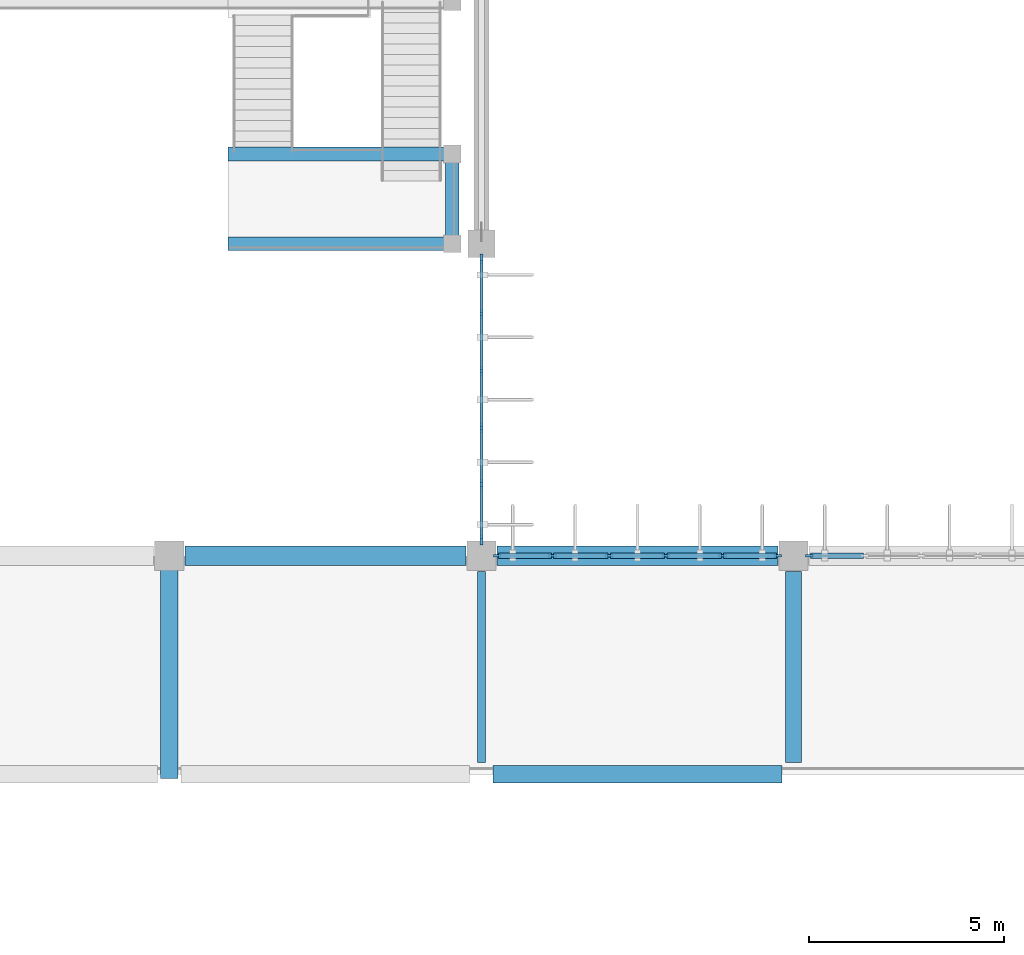
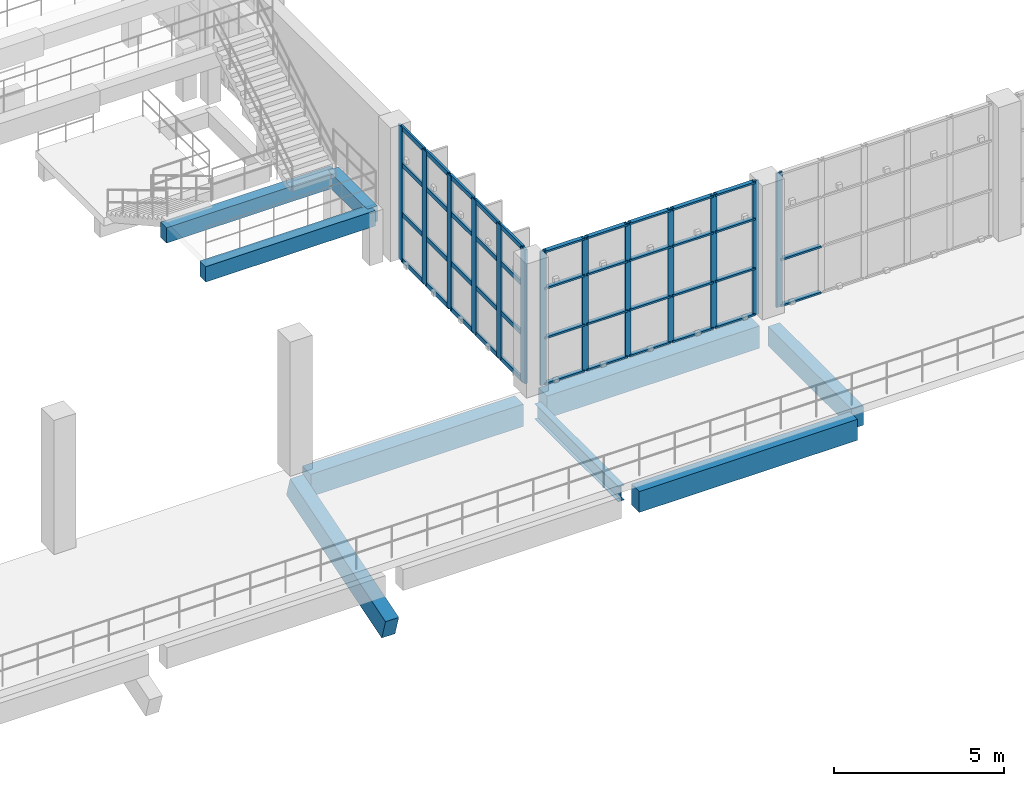
# One storey, part 29 of 93: 55 members, 9 beams, 3 elements without a shape of their own.
"""IFC4 building model written with IfcOpenShell, lengths in metres."""

from ifc_helpers import new_model, si_unit, direction, frame, origin, origin_2d, place, context, subcontext, project, spatial, rectangle, i_section, extrude, material, layer, layer_set, material_profile, profile_set, type_object, element, aggregate, save


model = new_model("IFC4")

# Units and contexts
model_context = context("Model", 3, precision=1e-05, world=origin(), true_north=direction((0.0, 1.0)))
body_context = subcontext(model_context, "Body", "Model", "MODEL_VIEW")
ifc_project = project(units=[si_unit("LENGTHUNIT", "METRE"), si_unit("AREAUNIT", "SQUARE_METRE"), si_unit("VOLUMEUNIT", "CUBIC_METRE"), si_unit("PLANEANGLEUNIT", "RADIAN"), si_unit("MASSUNIT", "GRAM", prefix="KILO")], contexts=[model_context])

# Site, building, storey
site_placement = place(None, origin())
site = spatial("IfcSite", under=ifc_project, at=site_placement, CompositionType="ELEMENT")
building_placement = place(site_placement, origin())
building = spatial("IfcBuilding", under=site, at=building_placement, Name="Drelvana Railside Aquatics Centre", CompositionType="ELEMENT")
storey_placement = place(building_placement, frame((0.0, 0.0, 5.39990234375)))
storey = spatial("IfcBuildingStorey", under=building, at=storey_placement, Name="L01", CompositionType="ELEMENT", Elevation=5.39990234375)

# Curtain wall, members
ifc_material_1 = material(Name="Bronze-anodised aluminium curtain wall", Category="aluminium")
ifc_layer_1 = layer(ifc_material_1, 0.179931640625, Name="Bronze-anodised aluminium curtain wall")
ifc_layer_set_1 = layer_set([ifc_layer_1], Name="Bronze-anodised aluminium curtain wall")
curtain_wall_type_1 = type_object("IfcCurtainWallType", Name="CW-Z2-CLER", PredefinedType="NOTDEFINED", material=ifc_layer_set_1)
curtain_wall_1_placement = place(storey_placement, origin())
curtain_wall_1 = element("IfcCurtainWall", 1, at=curtain_wall_1_placement, inside=storey, type_object=curtain_wall_type_1, Name="Curtain wall CW-02-021", PredefinedType="NOTDEFINED")
ifc_material_2 = material(Name="Bronze-anodised aluminium 6063-T6", Category="aluminium")
ifc_material_profile_1 = material_profile(ifc_material_2, rectangle(XDim=0.070068359375, YDim=0.199951171875, at=origin_2d()), Name="ALU-M 70x200")
ifc_profile_set_1 = profile_set([ifc_material_profile_1], Name="Bronze-anodised aluminium 6063-T6")
member_type_1 = type_object("IfcMemberType", Name="CW-Z2-CLER-MUL", PredefinedType="MULLION", material=ifc_profile_set_1)
member_1_placement = place(storey_placement, frame((72.404052734375, 84.0, -0.005859375), z_axis=(0.0, 0.0, 1.0), x_axis=(0.0, 1.0, 0.0)))
member_1 = element("IfcMember", 2, at=member_1_placement, type_object=member_type_1, Name="CW-02 mullion 1", PredefinedType="MULLION", context=body_context, shape_type="SweptSolid", body=[
    extrude(rectangle(XDim=0.070068359375, YDim=0.199951171875, at=origin_2d()), origin(), (0.0, 0.0, 1.0), 4.7958984375),
])
member_2_placement = place(storey_placement, frame((73.8212890625, 84.0, -0.005859375), z_axis=(0.0, 0.0, 1.0), x_axis=(0.0, 1.0, 0.0)))
member_2 = element("IfcMember", 3, at=member_2_placement, type_object=member_type_1, Name="CW-02 mullion 2", PredefinedType="MULLION", context=body_context, shape_type="SweptSolid", body=[
    extrude(rectangle(XDim=0.070068359375, YDim=0.199951171875, at=origin_2d()), origin(), (0.0, 0.0, 1.0), 4.7958984375),
])
member_3_placement = place(storey_placement, frame((75.273681640625, 84.0, -0.005859375), z_axis=(0.0, 0.0, 1.0), x_axis=(0.0, 1.0, 0.0)))
member_3 = element("IfcMember", 4, at=member_3_placement, type_object=member_type_1, Name="CW-02 mullion 3", PredefinedType="MULLION", context=body_context, shape_type="SweptSolid", body=[
    extrude(rectangle(XDim=0.070068359375, YDim=0.199951171875, at=origin_2d()), origin(), (0.0, 0.0, 1.0), 4.7958984375),
])
member_4_placement = place(storey_placement, frame((76.726318359375, 84.0, -0.005859375), z_axis=(0.0, 0.0, 1.0), x_axis=(0.0, 1.0, 0.0)))
member_4 = element("IfcMember", 5, at=member_4_placement, type_object=member_type_1, Name="CW-02 mullion 4", PredefinedType="MULLION", context=body_context, shape_type="SweptSolid", body=[
    extrude(rectangle(XDim=0.070068359375, YDim=0.199951171875, at=origin_2d()), origin(), (0.0, 0.0, 1.0), 4.7958984375),
])
member_5_placement = place(storey_placement, frame((78.1787109375, 84.0, -0.005859375), z_axis=(0.0, 0.0, 1.0), x_axis=(0.0, 1.0, 0.0)))
member_5 = element("IfcMember", 6, at=member_5_placement, type_object=member_type_1, Name="CW-02 mullion 5", PredefinedType="MULLION", context=body_context, shape_type="SweptSolid", body=[
    extrude(rectangle(XDim=0.070068359375, YDim=0.199951171875, at=origin_2d()), origin(), (0.0, 0.0, 1.0), 4.7958984375),
])
member_6_placement = place(storey_placement, frame((79.595947265625, 84.0, -0.005859375), z_axis=(0.0, 0.0, 1.0), x_axis=(0.0, 1.0, 0.0)))
member_6 = element("IfcMember", 7, at=member_6_placement, type_object=member_type_1, Name="CW-02 mullion 6", PredefinedType="MULLION", context=body_context, shape_type="SweptSolid", body=[
    extrude(rectangle(XDim=0.070068359375, YDim=0.199951171875, at=origin_2d()), origin(), (0.0, 0.0, 1.0), 4.7958984375),
])

# Curtain wall, member
curtain_wall_2_placement = place(storey_placement, origin())
curtain_wall_2 = element("IfcCurtainWall", 8, at=curtain_wall_2_placement, inside=storey, type_object=curtain_wall_type_1, Name="Curtain wall CW-02-024", PredefinedType="NOTDEFINED")
member_7_placement = place(storey_placement, frame((80.404052734375, 84.0, -0.005859375), z_axis=(0.0, 0.0, 1.0), x_axis=(0.0, 1.0, 0.0)))
member_7 = element("IfcMember", 9, at=member_7_placement, type_object=member_type_1, Name="CW-02 mullion 1", PredefinedType="MULLION", context=body_context, shape_type="SweptSolid", body=[
    extrude(rectangle(XDim=0.070068359375, YDim=0.199951171875, at=origin_2d()), origin(), (0.0, 0.0, 1.0), 4.7958984375),
])

# Member
ifc_material_profile_2 = material_profile(ifc_material_2, rectangle(XDim=0.139892578125, YDim=0.06494140625, at=origin_2d()), Name="ALU-T 65x140")
ifc_profile_set_2 = profile_set([ifc_material_profile_2], Name="Bronze-anodised aluminium 6063-T6")
member_type_2 = type_object("IfcMemberType", Name="CW-Z2-CLER-TRN", PredefinedType="USERDEFINED", material=ifc_profile_set_2)
member_8_placement = place(storey_placement, frame((72.43408203125, 84.0, 0.026611328125), z_axis=(1.0, 0.0, 0.0), x_axis=(0.0, 1.0, 0.0)))
member_8 = element("IfcMember", 10, at=member_8_placement, type_object=member_type_2, Name="CW-02 transom 1.1", ObjectType="TRANSOM", PredefinedType="USERDEFINED", context=body_context, shape_type="SweptSolid", body=[
    extrude(rectangle(XDim=0.139892578125, YDim=0.06494140625, at=origin_2d()), origin(), (0.0, 0.0, 1.0), 1.357421875),
])

member_9_placement = place(storey_placement, frame((72.43408203125, 84.0, 1.673095703125), z_axis=(1.0, 0.0, 0.0), x_axis=(0.0, 1.0, 0.0)))
member_9 = element("IfcMember", 11, at=member_9_placement, type_object=member_type_2, Name="CW-02 transom 1.2", ObjectType="TRANSOM", PredefinedType="USERDEFINED", context=body_context, shape_type="SweptSolid", body=[
    extrude(rectangle(XDim=0.139892578125, YDim=0.06494140625, at=origin_2d()), origin(), (0.0, 0.0, 1.0), 1.357421875),
])

member_10_placement = place(storey_placement, frame((72.43408203125, 84.0, 3.447021484375), z_axis=(1.0, 0.0, 0.0), x_axis=(0.0, 1.0, 0.0)))
member_10 = element("IfcMember", 12, at=member_10_placement, type_object=member_type_2, Name="CW-02 transom 1.3", ObjectType="TRANSOM", PredefinedType="USERDEFINED", context=body_context, shape_type="SweptSolid", body=[
    extrude(rectangle(XDim=0.139892578125, YDim=0.06494140625, at=origin_2d()), origin(), (0.0, 0.0, 1.0), 1.357421875),
])

member_11_placement = place(storey_placement, frame((72.43408203125, 84.0, 4.757568359375), z_axis=(1.0, 0.0, 0.0), x_axis=(0.0, 1.0, 0.0)))
member_11 = element("IfcMember", 13, at=member_11_placement, type_object=member_type_2, Name="CW-02 transom 1.4", ObjectType="TRANSOM", PredefinedType="USERDEFINED", context=body_context, shape_type="SweptSolid", body=[
    extrude(rectangle(XDim=0.139892578125, YDim=0.06494140625, at=origin_2d()), origin(), (0.0, 0.0, 1.0), 1.357421875),
])

member_12_placement = place(storey_placement, frame((73.851318359375, 84.0, 0.026611328125), z_axis=(1.0, 0.0, 0.0), x_axis=(0.0, 1.0, 0.0)))
member_12 = element("IfcMember", 14, at=member_12_placement, type_object=member_type_2, Name="CW-02 transom 2.1", ObjectType="TRANSOM", PredefinedType="USERDEFINED", context=body_context, shape_type="SweptSolid", body=[
    extrude(rectangle(XDim=0.139892578125, YDim=0.06494140625, at=origin_2d()), origin(), (0.0, 0.0, 1.0), 1.392578125),
])

member_13_placement = place(storey_placement, frame((73.851318359375, 84.0, 1.673095703125), z_axis=(1.0, 0.0, 0.0), x_axis=(0.0, 1.0, 0.0)))
member_13 = element("IfcMember", 15, at=member_13_placement, type_object=member_type_2, Name="CW-02 transom 2.2", ObjectType="TRANSOM", PredefinedType="USERDEFINED", context=body_context, shape_type="SweptSolid", body=[
    extrude(rectangle(XDim=0.139892578125, YDim=0.06494140625, at=origin_2d()), origin(), (0.0, 0.0, 1.0), 1.392578125),
])

member_14_placement = place(storey_placement, frame((73.851318359375, 84.0, 3.447021484375), z_axis=(1.0, 0.0, 0.0), x_axis=(0.0, 1.0, 0.0)))
member_14 = element("IfcMember", 16, at=member_14_placement, type_object=member_type_2, Name="CW-02 transom 2.3", ObjectType="TRANSOM", PredefinedType="USERDEFINED", context=body_context, shape_type="SweptSolid", body=[
    extrude(rectangle(XDim=0.139892578125, YDim=0.06494140625, at=origin_2d()), origin(), (0.0, 0.0, 1.0), 1.392578125),
])

member_15_placement = place(storey_placement, frame((73.851318359375, 84.0, 4.757568359375), z_axis=(1.0, 0.0, 0.0), x_axis=(0.0, 1.0, 0.0)))
member_15 = element("IfcMember", 17, at=member_15_placement, type_object=member_type_2, Name="CW-02 transom 2.4", ObjectType="TRANSOM", PredefinedType="USERDEFINED", context=body_context, shape_type="SweptSolid", body=[
    extrude(rectangle(XDim=0.139892578125, YDim=0.06494140625, at=origin_2d()), origin(), (0.0, 0.0, 1.0), 1.392578125),
])

member_16_placement = place(storey_placement, frame((75.3037109375, 84.0, 0.026611328125), z_axis=(1.0, 0.0, 0.0), x_axis=(0.0, 1.0, 0.0)))
member_16 = element("IfcMember", 18, at=member_16_placement, type_object=member_type_2, Name="CW-02 transom 3.1", ObjectType="TRANSOM", PredefinedType="USERDEFINED", context=body_context, shape_type="SweptSolid", body=[
    extrude(rectangle(XDim=0.139892578125, YDim=0.06494140625, at=origin_2d()), origin(), (0.0, 0.0, 1.0), 1.392578125),
])

member_17_placement = place(storey_placement, frame((75.3037109375, 84.0, 1.673095703125), z_axis=(1.0, 0.0, 0.0), x_axis=(0.0, 1.0, 0.0)))
member_17 = element("IfcMember", 19, at=member_17_placement, type_object=member_type_2, Name="CW-02 transom 3.2", ObjectType="TRANSOM", PredefinedType="USERDEFINED", context=body_context, shape_type="SweptSolid", body=[
    extrude(rectangle(XDim=0.139892578125, YDim=0.06494140625, at=origin_2d()), origin(), (0.0, 0.0, 1.0), 1.392578125),
])

member_18_placement = place(storey_placement, frame((75.3037109375, 84.0, 3.447021484375), z_axis=(1.0, 0.0, 0.0), x_axis=(0.0, 1.0, 0.0)))
member_18 = element("IfcMember", 20, at=member_18_placement, type_object=member_type_2, Name="CW-02 transom 3.3", ObjectType="TRANSOM", PredefinedType="USERDEFINED", context=body_context, shape_type="SweptSolid", body=[
    extrude(rectangle(XDim=0.139892578125, YDim=0.06494140625, at=origin_2d()), origin(), (0.0, 0.0, 1.0), 1.392578125),
])

member_19_placement = place(storey_placement, frame((75.3037109375, 84.0, 4.757568359375), z_axis=(1.0, 0.0, 0.0), x_axis=(0.0, 1.0, 0.0)))
member_19 = element("IfcMember", 21, at=member_19_placement, type_object=member_type_2, Name="CW-02 transom 3.4", ObjectType="TRANSOM", PredefinedType="USERDEFINED", context=body_context, shape_type="SweptSolid", body=[
    extrude(rectangle(XDim=0.139892578125, YDim=0.06494140625, at=origin_2d()), origin(), (0.0, 0.0, 1.0), 1.392578125),
])

member_20_placement = place(storey_placement, frame((76.756103515625, 84.0, 0.026611328125), z_axis=(1.0, 0.0, 0.0), x_axis=(0.0, 1.0, 0.0)))
member_20 = element("IfcMember", 22, at=member_20_placement, type_object=member_type_2, Name="CW-02 transom 4.1", ObjectType="TRANSOM", PredefinedType="USERDEFINED", context=body_context, shape_type="SweptSolid", body=[
    extrude(rectangle(XDim=0.139892578125, YDim=0.06494140625, at=origin_2d()), origin(), (0.0, 0.0, 1.0), 1.392578125),
])

member_21_placement = place(storey_placement, frame((76.756103515625, 84.0, 1.673095703125), z_axis=(1.0, 0.0, 0.0), x_axis=(0.0, 1.0, 0.0)))
member_21 = element("IfcMember", 23, at=member_21_placement, type_object=member_type_2, Name="CW-02 transom 4.2", ObjectType="TRANSOM", PredefinedType="USERDEFINED", context=body_context, shape_type="SweptSolid", body=[
    extrude(rectangle(XDim=0.139892578125, YDim=0.06494140625, at=origin_2d()), origin(), (0.0, 0.0, 1.0), 1.392578125),
])

member_22_placement = place(storey_placement, frame((76.756103515625, 84.0, 3.447021484375), z_axis=(1.0, 0.0, 0.0), x_axis=(0.0, 1.0, 0.0)))
member_22 = element("IfcMember", 24, at=member_22_placement, type_object=member_type_2, Name="CW-02 transom 4.3", ObjectType="TRANSOM", PredefinedType="USERDEFINED", context=body_context, shape_type="SweptSolid", body=[
    extrude(rectangle(XDim=0.139892578125, YDim=0.06494140625, at=origin_2d()), origin(), (0.0, 0.0, 1.0), 1.392578125),
])

member_23_placement = place(storey_placement, frame((76.756103515625, 84.0, 4.757568359375), z_axis=(1.0, 0.0, 0.0), x_axis=(0.0, 1.0, 0.0)))
member_23 = element("IfcMember", 25, at=member_23_placement, type_object=member_type_2, Name="CW-02 transom 4.4", ObjectType="TRANSOM", PredefinedType="USERDEFINED", context=body_context, shape_type="SweptSolid", body=[
    extrude(rectangle(XDim=0.139892578125, YDim=0.06494140625, at=origin_2d()), origin(), (0.0, 0.0, 1.0), 1.392578125),
])

member_24_placement = place(storey_placement, frame((78.20849609375, 84.0, 0.026611328125), z_axis=(1.0, 0.0, 0.0), x_axis=(0.0, 1.0, 0.0)))
member_24 = element("IfcMember", 26, at=member_24_placement, type_object=member_type_2, Name="CW-02 transom 5.1", ObjectType="TRANSOM", PredefinedType="USERDEFINED", context=body_context, shape_type="SweptSolid", body=[
    extrude(rectangle(XDim=0.139892578125, YDim=0.06494140625, at=origin_2d()), origin(), (0.0, 0.0, 1.0), 1.357421875),
])

member_25_placement = place(storey_placement, frame((78.20849609375, 84.0, 1.673095703125), z_axis=(1.0, 0.0, 0.0), x_axis=(0.0, 1.0, 0.0)))
member_25 = element("IfcMember", 27, at=member_25_placement, type_object=member_type_2, Name="CW-02 transom 5.2", ObjectType="TRANSOM", PredefinedType="USERDEFINED", context=body_context, shape_type="SweptSolid", body=[
    extrude(rectangle(XDim=0.139892578125, YDim=0.06494140625, at=origin_2d()), origin(), (0.0, 0.0, 1.0), 1.357421875),
])

member_26_placement = place(storey_placement, frame((78.20849609375, 84.0, 3.447021484375), z_axis=(1.0, 0.0, 0.0), x_axis=(0.0, 1.0, 0.0)))
member_26 = element("IfcMember", 28, at=member_26_placement, type_object=member_type_2, Name="CW-02 transom 5.3", ObjectType="TRANSOM", PredefinedType="USERDEFINED", context=body_context, shape_type="SweptSolid", body=[
    extrude(rectangle(XDim=0.139892578125, YDim=0.06494140625, at=origin_2d()), origin(), (0.0, 0.0, 1.0), 1.357421875),
])

member_27_placement = place(storey_placement, frame((78.20849609375, 84.0, 4.757568359375), z_axis=(1.0, 0.0, 0.0), x_axis=(0.0, 1.0, 0.0)))
member_27 = element("IfcMember", 29, at=member_27_placement, type_object=member_type_2, Name="CW-02 transom 5.4", ObjectType="TRANSOM", PredefinedType="USERDEFINED", context=body_context, shape_type="SweptSolid", body=[
    extrude(rectangle(XDim=0.139892578125, YDim=0.06494140625, at=origin_2d()), origin(), (0.0, 0.0, 1.0), 1.357421875),
])

aggregate(curtain_wall_1, [member_1, member_2, member_3, member_4, member_5, member_6, member_8, member_9, member_10, member_11, member_12, member_13, member_14, member_15, member_16, member_17, member_18, member_19, member_20, member_21, member_22, member_23, member_24, member_25, member_26, member_27])

member_28_placement = place(storey_placement, frame((80.43408203125, 84.0, 0.026611328125), z_axis=(1.0, 0.0, 0.0), x_axis=(0.0, 1.0, 0.0)))
member_28 = element("IfcMember", 30, at=member_28_placement, type_object=member_type_2, Name="CW-02 transom 1.1", ObjectType="TRANSOM", PredefinedType="USERDEFINED", context=body_context, shape_type="SweptSolid", body=[
    extrude(rectangle(XDim=0.139892578125, YDim=0.06494140625, at=origin_2d()), origin(), (0.0, 0.0, 1.0), 1.357421875),
])

member_29_placement = place(storey_placement, frame((80.43408203125, 84.0, 1.673095703125), z_axis=(1.0, 0.0, 0.0), x_axis=(0.0, 1.0, 0.0)))
member_29 = element("IfcMember", 31, at=member_29_placement, type_object=member_type_2, Name="CW-02 transom 1.2", ObjectType="TRANSOM", PredefinedType="USERDEFINED", context=body_context, shape_type="SweptSolid", body=[
    extrude(rectangle(XDim=0.139892578125, YDim=0.06494140625, at=origin_2d()), origin(), (0.0, 0.0, 1.0), 1.357421875),
])

aggregate(curtain_wall_2, [member_7, member_28, member_29])

# Curtain wall, members
ifc_layer_2 = layer(ifc_material_1, 0.2099609375, Name="Bronze-anodised aluminium curtain wall")
ifc_layer_set_2 = layer_set([ifc_layer_2], Name="Bronze-anodised aluminium curtain wall")
curtain_wall_type_2 = type_object("IfcCurtainWallType", Name="CW-Z7-DIVE", PredefinedType="NOTDEFINED", material=ifc_layer_set_2)
curtain_wall_3_placement = place(storey_placement, origin())
curtain_wall_3 = element("IfcCurtainWall", 32, at=curtain_wall_3_placement, inside=storey, type_object=curtain_wall_type_2, Name="Curtain wall CW-07-091", PredefinedType="NOTDEFINED")
ifc_material_profile_3 = material_profile(ifc_material_2, rectangle(XDim=0.080078125, YDim=0.25, at=origin_2d()), Name="ALU-M 80x250")
ifc_profile_set_3 = profile_set([ifc_material_profile_3], Name="Bronze-anodised aluminium 6063-T6")
member_type_3 = type_object("IfcMemberType", Name="CW-Z7-DIVE-MUL", PredefinedType="MULLION", material=ifc_profile_set_3)
member_30_placement = place(storey_placement, frame((72.0, 84.408935546875, -0.005859375), z_axis=(0.0, 0.0, 1.0), x_axis=(-1.0, 0.0, 0.0)))
member_30 = element("IfcMember", 33, at=member_30_placement, type_object=member_type_3, Name="CW-07 mullion 1", PredefinedType="MULLION", context=body_context, shape_type="SweptSolid", body=[
    extrude(rectangle(XDim=0.080078125, YDim=0.25, at=origin_2d()), origin(), (0.0, 0.0, 1.0), 4.7958984375),
])
member_31_placement = place(storey_placement, frame((72.0, 85.826416015625, -0.005859375), z_axis=(0.0, 0.0, 1.0), x_axis=(-1.0, 0.0, 0.0)))
member_31 = element("IfcMember", 34, at=member_31_placement, type_object=member_type_3, Name="CW-07 mullion 2", PredefinedType="MULLION", context=body_context, shape_type="SweptSolid", body=[
    extrude(rectangle(XDim=0.080078125, YDim=0.25, at=origin_2d()), origin(), (0.0, 0.0, 1.0), 4.7958984375),
])
member_32_placement = place(storey_placement, frame((72.0, 87.28369140625, -0.005859375), z_axis=(0.0, 0.0, 1.0), x_axis=(-1.0, 0.0, 0.0)))
member_32 = element("IfcMember", 35, at=member_32_placement, type_object=member_type_3, Name="CW-07 mullion 3", PredefinedType="MULLION", context=body_context, shape_type="SweptSolid", body=[
    extrude(rectangle(XDim=0.080078125, YDim=0.25, at=origin_2d()), origin(), (0.0, 0.0, 1.0), 4.7958984375),
])
member_33_placement = place(storey_placement, frame((72.0, 88.7412109375, -0.005859375), z_axis=(0.0, 0.0, 1.0), x_axis=(-1.0, 0.0, 0.0)))
member_33 = element("IfcMember", 36, at=member_33_placement, type_object=member_type_3, Name="CW-07 mullion 4", PredefinedType="MULLION", context=body_context, shape_type="SweptSolid", body=[
    extrude(rectangle(XDim=0.080078125, YDim=0.25, at=origin_2d()), origin(), (0.0, 0.0, 1.0), 4.7958984375),
])
member_34_placement = place(storey_placement, frame((72.0, 90.198486328125, -0.005859375), z_axis=(0.0, 0.0, 1.0), x_axis=(-1.0, 0.0, 0.0)))
member_34 = element("IfcMember", 37, at=member_34_placement, type_object=member_type_3, Name="CW-07 mullion 5", PredefinedType="MULLION", context=body_context, shape_type="SweptSolid", body=[
    extrude(rectangle(XDim=0.080078125, YDim=0.25, at=origin_2d()), origin(), (0.0, 0.0, 1.0), 4.7958984375),
])
member_35_placement = place(storey_placement, frame((72.0, 91.615966796875, -0.005859375), z_axis=(0.0, 0.0, 1.0), x_axis=(-1.0, 0.0, 0.0)))
member_35 = element("IfcMember", 38, at=member_35_placement, type_object=member_type_3, Name="CW-07 mullion 6", PredefinedType="MULLION", context=body_context, shape_type="SweptSolid", body=[
    extrude(rectangle(XDim=0.080078125, YDim=0.25, at=origin_2d()), origin(), (0.0, 0.0, 1.0), 4.7958984375),
])
ifc_material_profile_4 = material_profile(ifc_material_2, rectangle(XDim=0.159912109375, YDim=0.070068359375, at=origin_2d()), Name="ALU-T 70x160")
ifc_profile_set_4 = profile_set([ifc_material_profile_4], Name="Bronze-anodised aluminium 6063-T6")
member_type_4 = type_object("IfcMemberType", Name="CW-Z7-DIVE-TRN", PredefinedType="USERDEFINED", material=ifc_profile_set_4)
member_36_placement = place(storey_placement, frame((72.0, 84.444091796875, 0.029052734375), z_axis=(0.0, 1.0, 0.0), x_axis=(0.0, 0.0, 1.0)))
member_36 = element("IfcMember", 39, at=member_36_placement, type_object=member_type_4, Name="CW-07 transom 1.1", ObjectType="TRANSOM", PredefinedType="USERDEFINED", context=body_context, shape_type="SweptSolid", body=[
    extrude(rectangle(XDim=0.159912109375, YDim=0.070068359375, at=origin_2d()), origin(), (0.0, 0.0, 1.0), 1.347412109375),
])
member_37_placement = place(storey_placement, frame((72.0, 84.444091796875, 1.673095703125), z_axis=(0.0, 1.0, 0.0), x_axis=(0.0, 0.0, 1.0)))
member_37 = element("IfcMember", 40, at=member_37_placement, type_object=member_type_4, Name="CW-07 transom 1.2", ObjectType="TRANSOM", PredefinedType="USERDEFINED", context=body_context, shape_type="SweptSolid", body=[
    extrude(rectangle(XDim=0.159912109375, YDim=0.070068359375, at=origin_2d()), origin(), (0.0, 0.0, 1.0), 1.347412109375),
])
member_38_placement = place(storey_placement, frame((72.0, 84.444091796875, 3.447021484375), z_axis=(0.0, 1.0, 0.0), x_axis=(0.0, 0.0, 1.0)))
member_38 = element("IfcMember", 41, at=member_38_placement, type_object=member_type_4, Name="CW-07 transom 1.3", ObjectType="TRANSOM", PredefinedType="USERDEFINED", context=body_context, shape_type="SweptSolid", body=[
    extrude(rectangle(XDim=0.159912109375, YDim=0.070068359375, at=origin_2d()), origin(), (0.0, 0.0, 1.0), 1.347412109375),
])
member_39_placement = place(storey_placement, frame((72.0, 84.444091796875, 4.755126953125), z_axis=(0.0, 1.0, 0.0), x_axis=(0.0, 0.0, 1.0)))
member_39 = element("IfcMember", 42, at=member_39_placement, type_object=member_type_4, Name="CW-07 transom 1.4", ObjectType="TRANSOM", PredefinedType="USERDEFINED", context=body_context, shape_type="SweptSolid", body=[
    extrude(rectangle(XDim=0.159912109375, YDim=0.070068359375, at=origin_2d()), origin(), (0.0, 0.0, 1.0), 1.347412109375),
])
member_40_placement = place(storey_placement, frame((72.0, 85.861328125, 0.029052734375), z_axis=(0.0, 1.0, 0.0), x_axis=(0.0, 0.0, 1.0)))
member_40 = element("IfcMember", 43, at=member_40_placement, type_object=member_type_4, Name="CW-07 transom 2.1", ObjectType="TRANSOM", PredefinedType="USERDEFINED", context=body_context, shape_type="SweptSolid", body=[
    extrude(rectangle(XDim=0.159912109375, YDim=0.070068359375, at=origin_2d()), origin(), (0.0, 0.0, 1.0), 1.387451171875),
])
member_41_placement = place(storey_placement, frame((72.0, 85.861328125, 1.673095703125), z_axis=(0.0, 1.0, 0.0), x_axis=(0.0, 0.0, 1.0)))
member_41 = element("IfcMember", 44, at=member_41_placement, type_object=member_type_4, Name="CW-07 transom 2.2", ObjectType="TRANSOM", PredefinedType="USERDEFINED", context=body_context, shape_type="SweptSolid", body=[
    extrude(rectangle(XDim=0.159912109375, YDim=0.070068359375, at=origin_2d()), origin(), (0.0, 0.0, 1.0), 1.387451171875),
])
member_42_placement = place(storey_placement, frame((72.0, 85.861328125, 3.447021484375), z_axis=(0.0, 1.0, 0.0), x_axis=(0.0, 0.0, 1.0)))
member_42 = element("IfcMember", 45, at=member_42_placement, type_object=member_type_4, Name="CW-07 transom 2.3", ObjectType="TRANSOM", PredefinedType="USERDEFINED", context=body_context, shape_type="SweptSolid", body=[
    extrude(rectangle(XDim=0.159912109375, YDim=0.070068359375, at=origin_2d()), origin(), (0.0, 0.0, 1.0), 1.387451171875),
])
member_43_placement = place(storey_placement, frame((72.0, 85.861328125, 4.755126953125), z_axis=(0.0, 1.0, 0.0), x_axis=(0.0, 0.0, 1.0)))
member_43 = element("IfcMember", 46, at=member_43_placement, type_object=member_type_4, Name="CW-07 transom 2.4", ObjectType="TRANSOM", PredefinedType="USERDEFINED", context=body_context, shape_type="SweptSolid", body=[
    extrude(rectangle(XDim=0.159912109375, YDim=0.070068359375, at=origin_2d()), origin(), (0.0, 0.0, 1.0), 1.387451171875),
])
member_44_placement = place(storey_placement, frame((72.0, 87.31884765625, 0.029052734375), z_axis=(0.0, 1.0, 0.0), x_axis=(0.0, 0.0, 1.0)))
member_44 = element("IfcMember", 47, at=member_44_placement, type_object=member_type_4, Name="CW-07 transom 3.1", ObjectType="TRANSOM", PredefinedType="USERDEFINED", context=body_context, shape_type="SweptSolid", body=[
    extrude(rectangle(XDim=0.159912109375, YDim=0.070068359375, at=origin_2d()), origin(), (0.0, 0.0, 1.0), 1.387451171875),
])
member_45_placement = place(storey_placement, frame((72.0, 87.31884765625, 1.673095703125), z_axis=(0.0, 1.0, 0.0), x_axis=(0.0, 0.0, 1.0)))
member_45 = element("IfcMember", 48, at=member_45_placement, type_object=member_type_4, Name="CW-07 transom 3.2", ObjectType="TRANSOM", PredefinedType="USERDEFINED", context=body_context, shape_type="SweptSolid", body=[
    extrude(rectangle(XDim=0.159912109375, YDim=0.070068359375, at=origin_2d()), origin(), (0.0, 0.0, 1.0), 1.387451171875),
])
member_46_placement = place(storey_placement, frame((72.0, 87.31884765625, 3.447021484375), z_axis=(0.0, 1.0, 0.0), x_axis=(0.0, 0.0, 1.0)))
member_46 = element("IfcMember", 49, at=member_46_placement, type_object=member_type_4, Name="CW-07 transom 3.3", ObjectType="TRANSOM", PredefinedType="USERDEFINED", context=body_context, shape_type="SweptSolid", body=[
    extrude(rectangle(XDim=0.159912109375, YDim=0.070068359375, at=origin_2d()), origin(), (0.0, 0.0, 1.0), 1.387451171875),
])
member_47_placement = place(storey_placement, frame((72.0, 87.31884765625, 4.755126953125), z_axis=(0.0, 1.0, 0.0), x_axis=(0.0, 0.0, 1.0)))
member_47 = element("IfcMember", 50, at=member_47_placement, type_object=member_type_4, Name="CW-07 transom 3.4", ObjectType="TRANSOM", PredefinedType="USERDEFINED", context=body_context, shape_type="SweptSolid", body=[
    extrude(rectangle(XDim=0.159912109375, YDim=0.070068359375, at=origin_2d()), origin(), (0.0, 0.0, 1.0), 1.387451171875),
])
member_48_placement = place(storey_placement, frame((72.0, 88.776123046875, 0.029052734375), z_axis=(0.0, 1.0, 0.0), x_axis=(0.0, 0.0, 1.0)))
member_48 = element("IfcMember", 51, at=member_48_placement, type_object=member_type_4, Name="CW-07 transom 4.1", ObjectType="TRANSOM", PredefinedType="USERDEFINED", context=body_context, shape_type="SweptSolid", body=[
    extrude(rectangle(XDim=0.159912109375, YDim=0.070068359375, at=origin_2d()), origin(), (0.0, 0.0, 1.0), 1.387451171875),
])
member_49_placement = place(storey_placement, frame((72.0, 88.776123046875, 1.673095703125), z_axis=(0.0, 1.0, 0.0), x_axis=(0.0, 0.0, 1.0)))
member_49 = element("IfcMember", 52, at=member_49_placement, type_object=member_type_4, Name="CW-07 transom 4.2", ObjectType="TRANSOM", PredefinedType="USERDEFINED", context=body_context, shape_type="SweptSolid", body=[
    extrude(rectangle(XDim=0.159912109375, YDim=0.070068359375, at=origin_2d()), origin(), (0.0, 0.0, 1.0), 1.387451171875),
])
member_50_placement = place(storey_placement, frame((72.0, 88.776123046875, 3.447021484375), z_axis=(0.0, 1.0, 0.0), x_axis=(0.0, 0.0, 1.0)))
member_50 = element("IfcMember", 53, at=member_50_placement, type_object=member_type_4, Name="CW-07 transom 4.3", ObjectType="TRANSOM", PredefinedType="USERDEFINED", context=body_context, shape_type="SweptSolid", body=[
    extrude(rectangle(XDim=0.159912109375, YDim=0.070068359375, at=origin_2d()), origin(), (0.0, 0.0, 1.0), 1.387451171875),
])
member_51_placement = place(storey_placement, frame((72.0, 88.776123046875, 4.755126953125), z_axis=(0.0, 1.0, 0.0), x_axis=(0.0, 0.0, 1.0)))
member_51 = element("IfcMember", 54, at=member_51_placement, type_object=member_type_4, Name="CW-07 transom 4.4", ObjectType="TRANSOM", PredefinedType="USERDEFINED", context=body_context, shape_type="SweptSolid", body=[
    extrude(rectangle(XDim=0.159912109375, YDim=0.070068359375, at=origin_2d()), origin(), (0.0, 0.0, 1.0), 1.387451171875),
])
member_52_placement = place(storey_placement, frame((72.0, 90.233642578125, 0.029052734375), z_axis=(0.0, 1.0, 0.0), x_axis=(0.0, 0.0, 1.0)))
member_52 = element("IfcMember", 55, at=member_52_placement, type_object=member_type_4, Name="CW-07 transom 5.1", ObjectType="TRANSOM", PredefinedType="USERDEFINED", context=body_context, shape_type="SweptSolid", body=[
    extrude(rectangle(XDim=0.159912109375, YDim=0.070068359375, at=origin_2d()), origin(), (0.0, 0.0, 1.0), 1.347412109375),
])
member_53_placement = place(storey_placement, frame((72.0, 90.233642578125, 1.673095703125), z_axis=(0.0, 1.0, 0.0), x_axis=(0.0, 0.0, 1.0)))
member_53 = element("IfcMember", 56, at=member_53_placement, type_object=member_type_4, Name="CW-07 transom 5.2", ObjectType="TRANSOM", PredefinedType="USERDEFINED", context=body_context, shape_type="SweptSolid", body=[
    extrude(rectangle(XDim=0.159912109375, YDim=0.070068359375, at=origin_2d()), origin(), (0.0, 0.0, 1.0), 1.347412109375),
])
member_54_placement = place(storey_placement, frame((72.0, 90.233642578125, 3.447021484375), z_axis=(0.0, 1.0, 0.0), x_axis=(0.0, 0.0, 1.0)))
member_54 = element("IfcMember", 57, at=member_54_placement, type_object=member_type_4, Name="CW-07 transom 5.3", ObjectType="TRANSOM", PredefinedType="USERDEFINED", context=body_context, shape_type="SweptSolid", body=[
    extrude(rectangle(XDim=0.159912109375, YDim=0.070068359375, at=origin_2d()), origin(), (0.0, 0.0, 1.0), 1.347412109375),
])
member_55_placement = place(storey_placement, frame((72.0, 90.233642578125, 4.755126953125), z_axis=(0.0, 1.0, 0.0), x_axis=(0.0, 0.0, 1.0)))
member_55 = element("IfcMember", 58, at=member_55_placement, type_object=member_type_4, Name="CW-07 transom 5.4", ObjectType="TRANSOM", PredefinedType="USERDEFINED", context=body_context, shape_type="SweptSolid", body=[
    extrude(rectangle(XDim=0.159912109375, YDim=0.070068359375, at=origin_2d()), origin(), (0.0, 0.0, 1.0), 1.347412109375),
])
aggregate(curtain_wall_3, [member_30, member_31, member_32, member_33, member_34, member_35, member_36, member_37, member_38, member_39, member_40, member_41, member_42, member_43, member_44, member_45, member_46, member_47, member_48, member_49, member_50, member_51, member_52, member_53, member_54, member_55])

# Beams
ifc_material_3 = material(Name="Concrete C40/50", Category="concrete")
ifc_material_profile_5 = material_profile(ifc_material_3, rectangle(XDim=0.35009765625, YDim=0.550048828125, at=origin_2d()), Name="RC 350x550")
ifc_profile_set_5 = profile_set([ifc_material_profile_5], Name="Concrete C40/50")
beam_type_1 = type_object("IfcBeamType", Name="STR-BM-BM-01-RC-350x550", PredefinedType="BEAM", material=ifc_profile_set_5)
beam_1_placement = place(storey_placement, frame((71.25, 92.0, 1.60498046875), z_axis=(0.0, 1.0, 0.0), x_axis=(-1.0, 0.0, 0.0)))
element("IfcBeam", 59, at=beam_1_placement, inside=storey, type_object=beam_type_1, Name="Diving stair landing beam 7", PredefinedType="BEAM", context=body_context, shape_type="SweptSolid", body=[
    extrude(rectangle(XDim=0.35009765625, YDim=0.550048828125, at=origin_2d()), origin(), (0.0, 0.0, 1.0), 2.300048828125),
])
for number, where, z_axis, x_axis, name in (
    (60, (65.5, 92.0, 1.60498046875), (1.0, 0.0, 0.0), (0.0, 1.0, 0.0), "Diving stair landing beam 8"),
    (61, (65.5, 94.300048828125, 1.60498046875), (1.0, 0.0, 0.0), (0.0, 1.0, 0.0), "Diving stair landing beam 9"),
):
    element("IfcBeam", number, at=place(storey_placement, frame(where, z_axis=z_axis, x_axis=x_axis)), inside=storey, type_object=beam_type_1, Name=name, PredefinedType="BEAM", context=body_context, shape_type="SweptSolid", body=[
        extrude(rectangle(XDim=0.35009765625, YDim=0.550048828125, at=origin_2d()), origin(), (0.0, 0.0, 1.0), 5.75),
    ])
ifc_material_profile_6 = material_profile(ifc_material_3, rectangle(XDim=0.39990234375, YDim=0.699951171875, at=origin_2d()), Name="RC 400x700")
ifc_profile_set_6 = profile_set([ifc_material_profile_6], Name="Concrete C40/50")
beam_type_2 = type_object("IfcBeamType", Name="STR-BM-BM-03-RC-400x700", PredefinedType="BEAM", material=ifc_profile_set_6)
beam_2_placement = place(storey_placement, frame((80.0, 78.699951171875, -0.625), z_axis=(0.0, 1.0, 0.0), x_axis=(-1.0, 0.0, 0.0)))
element("IfcBeam", 62, at=beam_2_placement, inside=storey, type_object=beam_type_2, Name="Girder BM-03 (L01)", PredefinedType="BEAM", context=body_context, shape_type="SweptSolid", body=[
    extrude(rectangle(XDim=0.39990234375, YDim=0.699951171875, at=origin_2d()), origin(), (0.0, 0.0, 1.0), 4.900146484375),
])
ifc_material_profile_7 = material_profile(ifc_material_3, rectangle(XDim=0.449951171875, YDim=0.75, at=origin_2d()), Name="RC 450x750")
ifc_profile_set_7 = profile_set([ifc_material_profile_7], Name="Concrete C40/50")
beam_type_3 = type_object("IfcBeamType", Name="STR-BM-BM-04-RC-450x750", PredefinedType="BEAM", material=ifc_profile_set_7)
beam_3_placement = place(storey_placement, frame((72.300048828125, 78.39990234375, -0.64990234375), z_axis=(1.0, 0.0, 0.0), x_axis=(0.0, 1.0, 0.0)))
element("IfcBeam", 63, at=beam_3_placement, inside=storey, type_object=beam_type_3, Name="Girder BM-04 (L01)", PredefinedType="BEAM", context=body_context, shape_type="SweptSolid", body=[
    extrude(rectangle(XDim=0.449951171875, YDim=0.75, at=origin_2d()), origin(), (0.0, 0.0, 1.0), 7.39990234375),
])
ifc_material_profile_8 = material_profile(ifc_material_3, rectangle(XDim=0.5, YDim=0.800048828125, at=origin_2d()), Name="RC 500x800")
ifc_profile_set_8 = profile_set([ifc_material_profile_8], Name="Concrete C40/50")
beam_type_4 = type_object("IfcBeamType", Name="STR-BM-BM-06-RC-500x800", PredefinedType="SPANDREL", material=ifc_profile_set_8)
for number, where, z_axis, x_axis, name in (
    (64, (64.39990234375, 84.0, -0.6748046875), (1.0, 0.0, 0.0), (0.0, 1.0, 0.0), "Girder BM-06 (L01)"),
    (65, (72.39990234375, 84.0, -0.6748046875), (1.0, 0.0, 0.0), (0.0, 1.0, 0.0), "Girder BM-06 (L01)"),
):
    element("IfcBeam", number, at=place(storey_placement, frame(where, z_axis=z_axis, x_axis=x_axis)), inside=storey, type_object=beam_type_4, Name=name, PredefinedType="SPANDREL", context=body_context, shape_type="SweptSolid", body=[
        extrude(rectangle(XDim=0.5, YDim=0.800048828125, at=origin_2d()), origin(), (0.0, 0.0, 1.0), 7.2001953125),
    ])
ifc_material_profile_9 = material_profile(ifc_material_3, rectangle(XDim=0.449951171875, YDim=0.75, at=origin_2d()), Name="RC 450x750")
ifc_profile_set_9 = profile_set([ifc_material_profile_9], Name="Concrete C40/50")
beam_type_5 = type_object("IfcBeamType", Name="STR-BM-RK-02-RC-450x750", PredefinedType="USERDEFINED", material=ifc_profile_set_9)
beam_4_placement = place(storey_placement, frame((64.0, 78.39990234375, -2.3798828125), z_axis=(0.0, 0.955448782537, 0.295156947993), x_axis=(-1.0, 0.0, 0.0)))
element("IfcBeam", 66, at=beam_4_placement, inside=storey, type_object=beam_type_5, Name="Lower stand raker beam RK-02 N-X64", ObjectType="RAKER", PredefinedType="USERDEFINED", context=body_context, shape_type="SweptSolid", body=[
    extrude(rectangle(XDim=0.449951171875, YDim=0.75, at=origin_2d()), origin(), (0.0, 0.0, 1.0), 5.861328125),
])
ifc_material_4 = material(Name="Structural steel S355", Category="steel")
ifc_material_profile_10 = material_profile(ifc_material_4, i_section(OverallWidth=0.2099609375, OverallDepth=0.550048828125, WebThickness=0.010986328125, FlangeThickness=0.01708984375, at=origin_2d()), Name="IPE 550")
ifc_profile_set_10 = profile_set([ifc_material_profile_10], Name="Structural steel S355")
beam_type_6 = type_object("IfcBeamType", Name="STR-SBM-SB-04-IPE-550", PredefinedType="SPANDREL", material=ifc_profile_set_10)
beam_5_placement = place(storey_placement, frame((72.0, 78.699951171875, -0.5498046875), z_axis=(0.0, 1.0, 0.0), x_axis=(-1.0, 0.0, 0.0)))
element("IfcBeam", 67, at=beam_5_placement, inside=storey, type_object=beam_type_6, Name="Girder SB-04 (L01)", PredefinedType="SPANDREL", context=body_context, shape_type="SweptSolid", body=[
    extrude(i_section(OverallWidth=0.2099609375, OverallDepth=0.550048828125, WebThickness=0.010986328125, FlangeThickness=0.01708984375, at=origin_2d()), origin(), (0.0, 0.0, 1.0), 4.900146484375),
])

save(model, "model.ifc")
